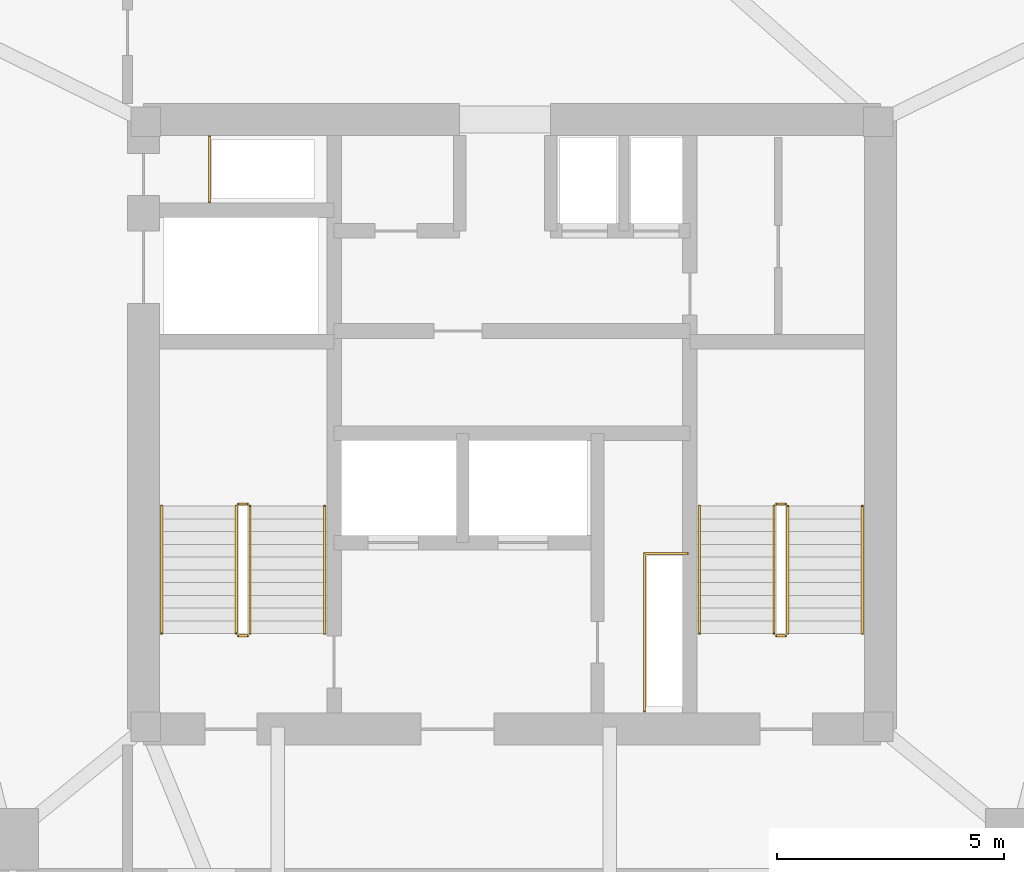
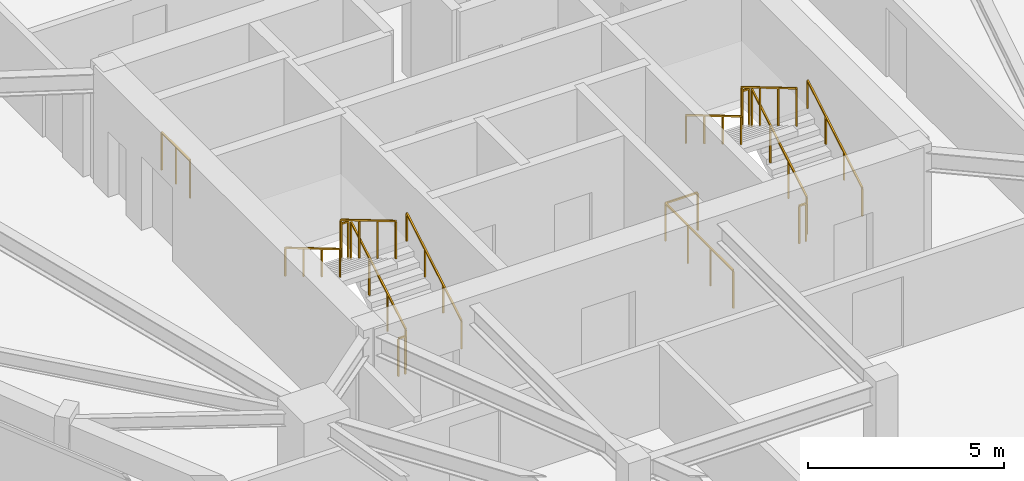
# One storey, part 12 of 12: 14 railings.
"""IFC4 building model written with IfcOpenShell, lengths in metres."""

from ifc_helpers import new_model, si_unit, direction, frame, origin, origin_2d, place, context, subcontext, project, spatial, rectangle, extrude, material, type_object, element, save


model = new_model("IFC4")

# Units and contexts
model_context = context("Model", 3, precision=1e-05, world=origin(), true_north=direction((0.0, 1.0)))
body_context = subcontext(model_context, "Body", "Model", "MODEL_VIEW")
ifc_project = project(units=[si_unit("LENGTHUNIT", "METRE"), si_unit("AREAUNIT", "SQUARE_METRE"), si_unit("VOLUMEUNIT", "CUBIC_METRE"), si_unit("PLANEANGLEUNIT", "RADIAN"), si_unit("MASSUNIT", "GRAM", prefix="KILO")], contexts=[model_context])

# Site, building, storey
site_placement = place(None, origin())
site = spatial("IfcSite", under=ifc_project, at=site_placement, CompositionType="ELEMENT")
building_placement = place(site_placement, origin())
building = spatial("IfcBuilding", under=site, at=building_placement, Name="Talyreon Biosciences Tower", CompositionType="ELEMENT")
storey_placement = place(building_placement, frame((0.0, 0.0, 197.64990234375)))
storey = spatial("IfcBuildingStorey", under=building, at=storey_placement, Name="L52", CompositionType="ELEMENT", Elevation=197.64990234375)

# Railings
ifc_material_1 = material(Name="Brushed stainless-steel tubular handrail", Category="steel")
railing_type_1 = type_object("IfcRailingType", Name="StairWallHandrail_900", PredefinedType="HANDRAIL", material=ifc_material_1)
railing_1_placement = place(storey_placement, frame((61.8798828125, 63.39990234375, 0.166015625)))
element("IfcRailing", 1, at=railing_1_placement, inside=storey, type_object=railing_type_1, Name="L52 ST-1 stair handrail 1", PredefinedType="HANDRAIL", context=body_context, shape_type="SweptSolid", body=[
    extrude(rectangle(XDim=0.048095703125, YDim=0.048095703125, at=origin_2d()), frame((0.0, 0.0, 0.8759765625), z_axis=(0.0, 0.860306154799, 0.50977771628), x_axis=(-1.0, 0.0, 0.0)), (0.0, 0.0, 1.0), 3.254638671875),
    extrude(rectangle(XDim=0.0419921875, YDim=0.0419921875, at=origin_2d()), origin(), (0.0, 0.0, 1.0), 0.851806640625),
    extrude(rectangle(XDim=0.0419921875, YDim=0.0419921875, at=origin_2d()), frame((0.0, 0.933349609375, 0.552978515625)), (0.0, 0.0, 1.0), 0.851806640625),
    extrude(rectangle(XDim=0.0419921875, YDim=0.0419921875, at=origin_2d()), frame((0.0, 1.86669921875, 1.106201171875)), (0.0, 0.0, 1.0), 0.851806640625),
    extrude(rectangle(XDim=0.0419921875, YDim=0.0419921875, at=origin_2d()), frame((0.0, 2.800048828125, 1.6591796875)), (0.0, 0.0, 1.0), 0.851806640625),
])
railing_2_placement = place(storey_placement, frame((58.300048828125, 66.199951171875, 1.990966796875)))
element("IfcRailing", 2, at=railing_2_placement, inside=storey, type_object=railing_type_1, Name="L52 ST-1 stair handrail 2", PredefinedType="HANDRAIL", context=body_context, shape_type="SweptSolid", body=[
    extrude(rectangle(XDim=0.048095703125, YDim=0.048095703125, at=origin_2d()), frame((0.0, 0.0, 0.8759765625), z_axis=(0.0, -0.860306154799, 0.50977771628), x_axis=(1.0, 0.0, 0.0)), (0.0, 0.0, 1.0), 3.254638671875),
    extrude(rectangle(XDim=0.0419921875, YDim=0.0419921875, at=origin_2d()), origin(), (0.0, 0.0, 1.0), 0.851806640625),
    extrude(rectangle(XDim=0.0419921875, YDim=0.0419921875, at=origin_2d()), frame((0.0, -0.933349609375, 0.552978515625)), (0.0, 0.0, 1.0), 0.851806640625),
    extrude(rectangle(XDim=0.0419921875, YDim=0.0419921875, at=origin_2d()), frame((0.0, -1.86669921875, 1.106201171875)), (0.0, 0.0, 1.0), 0.851806640625),
    extrude(rectangle(XDim=0.0419921875, YDim=0.0419921875, at=origin_2d()), frame((0.0, -2.800048828125, 1.6591796875)), (0.0, 0.0, 1.0), 0.851806640625),
])
railing_3_placement = place(storey_placement, frame((73.699951171875, 63.39990234375, 0.166015625)))
element("IfcRailing", 3, at=railing_3_placement, inside=storey, type_object=railing_type_1, Name="L52 ST-2 stair handrail 1", PredefinedType="HANDRAIL", context=body_context, shape_type="SweptSolid", body=[
    extrude(rectangle(XDim=0.048095703125, YDim=0.048095703125, at=origin_2d()), frame((0.0, 0.0, 0.8759765625), z_axis=(0.0, 0.860306154799, 0.50977771628), x_axis=(-1.0, 0.0, 0.0)), (0.0, 0.0, 1.0), 3.254638671875),
    extrude(rectangle(XDim=0.0419921875, YDim=0.0419921875, at=origin_2d()), origin(), (0.0, 0.0, 1.0), 0.851806640625),
    extrude(rectangle(XDim=0.0419921875, YDim=0.0419921875, at=origin_2d()), frame((0.0, 0.933349609375, 0.552978515625)), (0.0, 0.0, 1.0), 0.851806640625),
    extrude(rectangle(XDim=0.0419921875, YDim=0.0419921875, at=origin_2d()), frame((0.0, 1.86669921875, 1.106201171875)), (0.0, 0.0, 1.0), 0.851806640625),
    extrude(rectangle(XDim=0.0419921875, YDim=0.0419921875, at=origin_2d()), frame((0.0, 2.800048828125, 1.6591796875)), (0.0, 0.0, 1.0), 0.851806640625),
])
railing_4_placement = place(storey_placement, frame((70.1201171875, 66.199951171875, 1.990966796875)))
element("IfcRailing", 4, at=railing_4_placement, inside=storey, type_object=railing_type_1, Name="L52 ST-2 stair handrail 2", PredefinedType="HANDRAIL", context=body_context, shape_type="SweptSolid", body=[
    extrude(rectangle(XDim=0.048095703125, YDim=0.048095703125, at=origin_2d()), frame((0.0, 0.0, 0.8759765625), z_axis=(0.0, -0.860306154799, 0.50977771628), x_axis=(1.0, 0.0, 0.0)), (0.0, 0.0, 1.0), 3.254638671875),
    extrude(rectangle(XDim=0.0419921875, YDim=0.0419921875, at=origin_2d()), origin(), (0.0, 0.0, 1.0), 0.851806640625),
    extrude(rectangle(XDim=0.0419921875, YDim=0.0419921875, at=origin_2d()), frame((0.0, -0.933349609375, 0.552978515625)), (0.0, 0.0, 1.0), 0.851806640625),
    extrude(rectangle(XDim=0.0419921875, YDim=0.0419921875, at=origin_2d()), frame((0.0, -1.86669921875, 1.106201171875)), (0.0, 0.0, 1.0), 0.851806640625),
    extrude(rectangle(XDim=0.0419921875, YDim=0.0419921875, at=origin_2d()), frame((0.0, -2.800048828125, 1.6591796875)), (0.0, 0.0, 1.0), 0.851806640625),
])
ifc_material_2 = material(Name="Painted galvanised steel post-and-rail balustrade", Category="steel")
railing_type_2 = type_object("IfcRailingType", Name="TerraceStairGuard_1200", PredefinedType="GUARDRAIL", material=ifc_material_2)
railing_5_placement = place(storey_placement, frame((60.239990234375, 63.39990234375, 0.166015625)))
element("IfcRailing", 5, at=railing_5_placement, inside=storey, type_object=railing_type_2, Name="L52 ST-1 stair guard 1", PredefinedType="GUARDRAIL", context=body_context, shape_type="SweptSolid", body=[
    extrude(rectangle(XDim=0.048095703125, YDim=0.048095703125, at=origin_2d()), frame((0.0, 0.0, 1.17578125), z_axis=(0.0, 0.860306154799, 0.50977771628), x_axis=(-1.0, 0.0, 0.0)), (0.0, 0.0, 1.0), 3.254638671875),
    extrude(rectangle(XDim=0.0419921875, YDim=0.0419921875, at=origin_2d()), origin(), (0.0, 0.0, 1.0), 1.15185546875),
    extrude(rectangle(XDim=0.0419921875, YDim=0.0419921875, at=origin_2d()), frame((0.0, 0.933349609375, 0.552978515625)), (0.0, 0.0, 1.0), 1.15185546875),
    extrude(rectangle(XDim=0.0419921875, YDim=0.0419921875, at=origin_2d()), frame((0.0, 1.86669921875, 1.106201171875)), (0.0, 0.0, 1.0), 1.15185546875),
    extrude(rectangle(XDim=0.0419921875, YDim=0.0419921875, at=origin_2d()), frame((0.0, 2.800048828125, 1.6591796875)), (0.0, 0.0, 1.0), 1.15185546875),
])
railing_6_placement = place(storey_placement, frame((60.18994140625, 66.25, 1.8251953125)))
element("IfcRailing", 6, at=railing_6_placement, inside=storey, type_object=railing_type_2, Name="L52 ST-1 stair guard 2", PredefinedType="GUARDRAIL", context=body_context, shape_type="SweptSolid", body=[
    extrude(rectangle(XDim=0.048095703125, YDim=0.048095703125, at=origin_2d()), frame((0.0, 0.0, 1.17578125), z_axis=(-1.0, 0.0, 0.0), x_axis=(0.0, -1.0, 0.0)), (0.0, 0.0, 1.0), 0.199951171875),
    extrude(rectangle(XDim=0.0419921875, YDim=0.0419921875, at=origin_2d()), origin(), (0.0, 0.0, 1.0), 1.15185546875),
    extrude(rectangle(XDim=0.0419921875, YDim=0.0419921875, at=origin_2d()), frame((-0.199951171875, 0.0, 0.0)), (0.0, 0.0, 1.0), 1.15185546875),
])
railing_7_placement = place(storey_placement, frame((59.93994140625, 66.199951171875, 1.990966796875)))
element("IfcRailing", 7, at=railing_7_placement, inside=storey, type_object=railing_type_2, Name="L52 ST-1 stair guard 3", PredefinedType="GUARDRAIL", context=body_context, shape_type="SweptSolid", body=[
    extrude(rectangle(XDim=0.048095703125, YDim=0.048095703125, at=origin_2d()), frame((0.0, 0.0, 1.17578125), z_axis=(0.0, -0.860306154799, 0.50977771628), x_axis=(1.0, 0.0, 0.0)), (0.0, 0.0, 1.0), 3.254638671875),
    extrude(rectangle(XDim=0.0419921875, YDim=0.0419921875, at=origin_2d()), origin(), (0.0, 0.0, 1.0), 1.15185546875),
    extrude(rectangle(XDim=0.0419921875, YDim=0.0419921875, at=origin_2d()), frame((0.0, -0.933349609375, 0.552978515625)), (0.0, 0.0, 1.0), 1.15185546875),
    extrude(rectangle(XDim=0.0419921875, YDim=0.0419921875, at=origin_2d()), frame((0.0, -1.86669921875, 1.106201171875)), (0.0, 0.0, 1.0), 1.15185546875),
    extrude(rectangle(XDim=0.0419921875, YDim=0.0419921875, at=origin_2d()), frame((0.0, -2.800048828125, 1.6591796875)), (0.0, 0.0, 1.0), 1.15185546875),
])
railing_8_placement = place(storey_placement, frame((60.18994140625, 63.35009765625, 0.0)))
element("IfcRailing", 8, at=railing_8_placement, inside=storey, type_object=railing_type_2, Name="L52 ST-1 stair guard 4", PredefinedType="GUARDRAIL", context=body_context, shape_type="SweptSolid", body=[
    extrude(rectangle(XDim=0.048095703125, YDim=0.048095703125, at=origin_2d()), frame((0.0, 0.0, 1.17578125), z_axis=(-1.0, 0.0, 0.0), x_axis=(0.0, -1.0, 0.0)), (0.0, 0.0, 1.0), 0.199951171875),
    extrude(rectangle(XDim=0.0419921875, YDim=0.0419921875, at=origin_2d()), origin(), (0.0, 0.0, 1.0), 1.15185546875),
    extrude(rectangle(XDim=0.0419921875, YDim=0.0419921875, at=origin_2d()), frame((-0.199951171875, 0.0, 0.0)), (0.0, 0.0, 1.0), 1.15185546875),
])
railing_9_placement = place(storey_placement, frame((72.06005859375, 63.39990234375, 0.166015625)))
element("IfcRailing", 9, at=railing_9_placement, inside=storey, type_object=railing_type_2, Name="L52 ST-2 stair guard 1", PredefinedType="GUARDRAIL", context=body_context, shape_type="SweptSolid", body=[
    extrude(rectangle(XDim=0.048095703125, YDim=0.048095703125, at=origin_2d()), frame((0.0, 0.0, 1.17578125), z_axis=(0.0, 0.860306154799, 0.50977771628), x_axis=(-1.0, 0.0, 0.0)), (0.0, 0.0, 1.0), 3.254638671875),
    extrude(rectangle(XDim=0.0419921875, YDim=0.0419921875, at=origin_2d()), origin(), (0.0, 0.0, 1.0), 1.15185546875),
    extrude(rectangle(XDim=0.0419921875, YDim=0.0419921875, at=origin_2d()), frame((0.0, 0.933349609375, 0.552978515625)), (0.0, 0.0, 1.0), 1.15185546875),
    extrude(rectangle(XDim=0.0419921875, YDim=0.0419921875, at=origin_2d()), frame((0.0, 1.86669921875, 1.106201171875)), (0.0, 0.0, 1.0), 1.15185546875),
    extrude(rectangle(XDim=0.0419921875, YDim=0.0419921875, at=origin_2d()), frame((0.0, 2.800048828125, 1.6591796875)), (0.0, 0.0, 1.0), 1.15185546875),
])
railing_10_placement = place(storey_placement, frame((72.010009765625, 66.25, 1.8251953125)))
element("IfcRailing", 10, at=railing_10_placement, inside=storey, type_object=railing_type_2, Name="L52 ST-2 stair guard 2", PredefinedType="GUARDRAIL", context=body_context, shape_type="SweptSolid", body=[
    extrude(rectangle(XDim=0.048095703125, YDim=0.048095703125, at=origin_2d()), frame((0.0, 0.0, 1.17578125), z_axis=(-1.0, 0.0, 0.0), x_axis=(0.0, -1.0, 0.0)), (0.0, 0.0, 1.0), 0.199951171875),
    extrude(rectangle(XDim=0.0419921875, YDim=0.0419921875, at=origin_2d()), origin(), (0.0, 0.0, 1.0), 1.15185546875),
    extrude(rectangle(XDim=0.0419921875, YDim=0.0419921875, at=origin_2d()), frame((-0.199951171875, 0.0, 0.0)), (0.0, 0.0, 1.0), 1.15185546875),
])
railing_11_placement = place(storey_placement, frame((71.760009765625, 66.199951171875, 1.990966796875)))
element("IfcRailing", 11, at=railing_11_placement, inside=storey, type_object=railing_type_2, Name="L52 ST-2 stair guard 3", PredefinedType="GUARDRAIL", context=body_context, shape_type="SweptSolid", body=[
    extrude(rectangle(XDim=0.048095703125, YDim=0.048095703125, at=origin_2d()), frame((0.0, 0.0, 1.17578125), z_axis=(0.0, -0.860306154799, 0.50977771628), x_axis=(1.0, 0.0, 0.0)), (0.0, 0.0, 1.0), 3.254638671875),
    extrude(rectangle(XDim=0.0419921875, YDim=0.0419921875, at=origin_2d()), origin(), (0.0, 0.0, 1.0), 1.15185546875),
    extrude(rectangle(XDim=0.0419921875, YDim=0.0419921875, at=origin_2d()), frame((0.0, -0.933349609375, 0.552978515625)), (0.0, 0.0, 1.0), 1.15185546875),
    extrude(rectangle(XDim=0.0419921875, YDim=0.0419921875, at=origin_2d()), frame((0.0, -1.86669921875, 1.106201171875)), (0.0, 0.0, 1.0), 1.15185546875),
    extrude(rectangle(XDim=0.0419921875, YDim=0.0419921875, at=origin_2d()), frame((0.0, -2.800048828125, 1.6591796875)), (0.0, 0.0, 1.0), 1.15185546875),
])
railing_12_placement = place(storey_placement, frame((72.010009765625, 63.35009765625, 0.0)))
element("IfcRailing", 12, at=railing_12_placement, inside=storey, type_object=railing_type_2, Name="L52 ST-2 stair guard 4", PredefinedType="GUARDRAIL", context=body_context, shape_type="SweptSolid", body=[
    extrude(rectangle(XDim=0.048095703125, YDim=0.048095703125, at=origin_2d()), frame((0.0, 0.0, 1.17578125), z_axis=(-1.0, 0.0, 0.0), x_axis=(0.0, -1.0, 0.0)), (0.0, 0.0, 1.0), 0.199951171875),
    extrude(rectangle(XDim=0.0419921875, YDim=0.0419921875, at=origin_2d()), origin(), (0.0, 0.0, 1.0), 1.15185546875),
    extrude(rectangle(XDim=0.0419921875, YDim=0.0419921875, at=origin_2d()), frame((-0.199951171875, 0.0, 0.0)), (0.0, 0.0, 1.0), 1.15185546875),
])
railing_13_placement = place(storey_placement, frame((59.35009765625, 72.8798828125, 0.0)))
element("IfcRailing", 13, at=railing_13_placement, inside=storey, type_object=railing_type_2, Name="L52 Exhaust Riser Maintenance Guardrail", PredefinedType="GUARDRAIL", context=body_context, shape_type="SweptSolid", body=[
    extrude(rectangle(XDim=0.048095703125, YDim=0.048095703125, at=origin_2d()), frame((0.0, 0.0, 1.17578125), z_axis=(0.0, 1.0, 0.0), x_axis=(-1.0, 0.0, 0.0)), (0.0, 0.0, 1.0), 1.4501953125),
    extrude(rectangle(XDim=0.0419921875, YDim=0.0419921875, at=origin_2d()), origin(), (0.0, 0.0, 1.0), 1.15185546875),
    extrude(rectangle(XDim=0.0419921875, YDim=0.0419921875, at=origin_2d()), frame((0.0, 0.72509765625, 0.0)), (0.0, 0.0, 1.0), 1.15185546875),
    extrude(rectangle(XDim=0.0419921875, YDim=0.0419921875, at=origin_2d()), frame((0.0, 1.4501953125, 0.0)), (0.0, 0.0, 1.0), 1.15185546875),
])
railing_14_placement = place(storey_placement, frame((68.909912109375, 61.699951171875, 0.0)))
element("IfcRailing", 14, at=railing_14_placement, inside=storey, type_object=railing_type_2, Name="L52 Electrical Riser Maintenance Guardrail", PredefinedType="GUARDRAIL", context=body_context, shape_type="SweptSolid", body=[
    extrude(rectangle(XDim=0.048095703125, YDim=0.048095703125, at=origin_2d()), frame((0.0, 0.0, 1.17578125), z_axis=(0.0, 1.0, 0.0), x_axis=(-1.0, 0.0, 0.0)), (0.0, 0.0, 1.0), 3.4599609375),
    extrude(rectangle(XDim=0.048095703125, YDim=0.048095703125, at=origin_2d()), frame((0.0, 3.4599609375, 1.17578125), z_axis=(1.0, 0.0, 0.0), x_axis=(0.0, 1.0, 0.0)), (0.0, 0.0, 1.0), 0.9501953125),
    extrude(rectangle(XDim=0.0419921875, YDim=0.0419921875, at=origin_2d()), origin(), (0.0, 0.0, 1.0), 1.15185546875),
    extrude(rectangle(XDim=0.0419921875, YDim=0.0419921875, at=origin_2d()), frame((0.0, 1.1533203125, 0.0)), (0.0, 0.0, 1.0), 1.15185546875),
    extrude(rectangle(XDim=0.0419921875, YDim=0.0419921875, at=origin_2d()), frame((0.0, 2.306640625, 0.0)), (0.0, 0.0, 1.0), 1.15185546875),
    extrude(rectangle(XDim=0.0419921875, YDim=0.0419921875, at=origin_2d()), frame((0.0, 3.4599609375, 0.0)), (0.0, 0.0, 1.0), 1.15185546875),
    extrude(rectangle(XDim=0.0419921875, YDim=0.0419921875, at=origin_2d()), frame((0.9501953125, 3.4599609375, 0.0)), (0.0, 0.0, 1.0), 1.15185546875),
])

save(model, "model.ifc")
